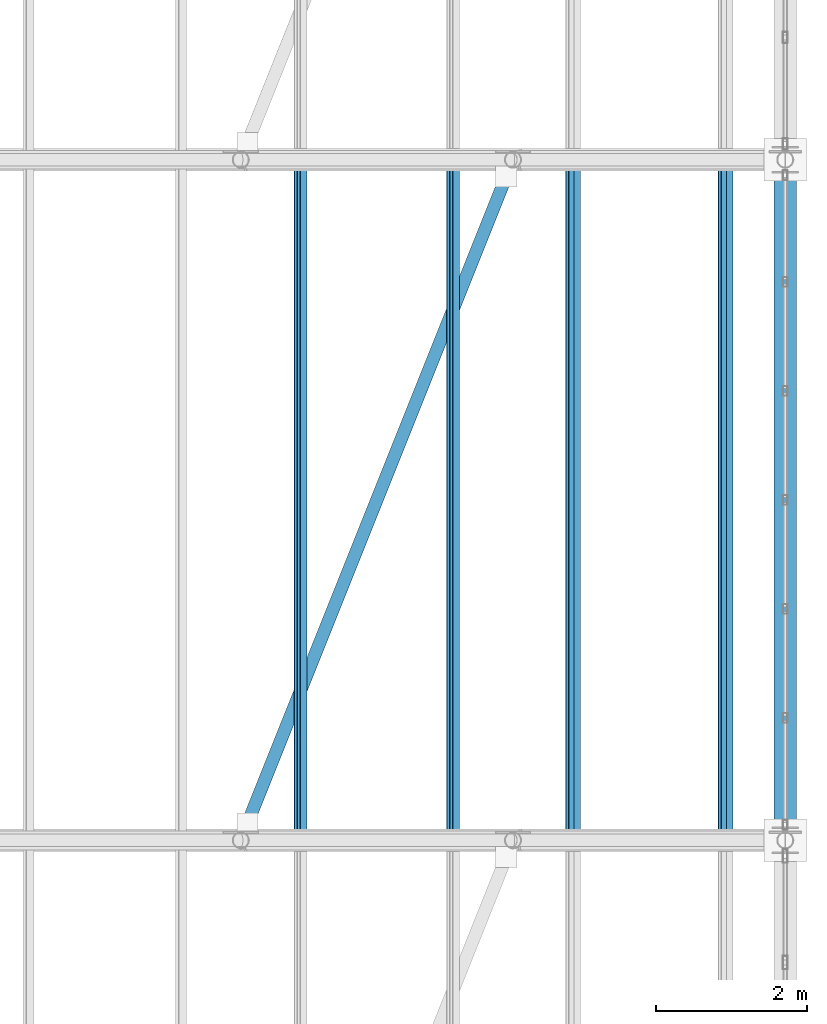
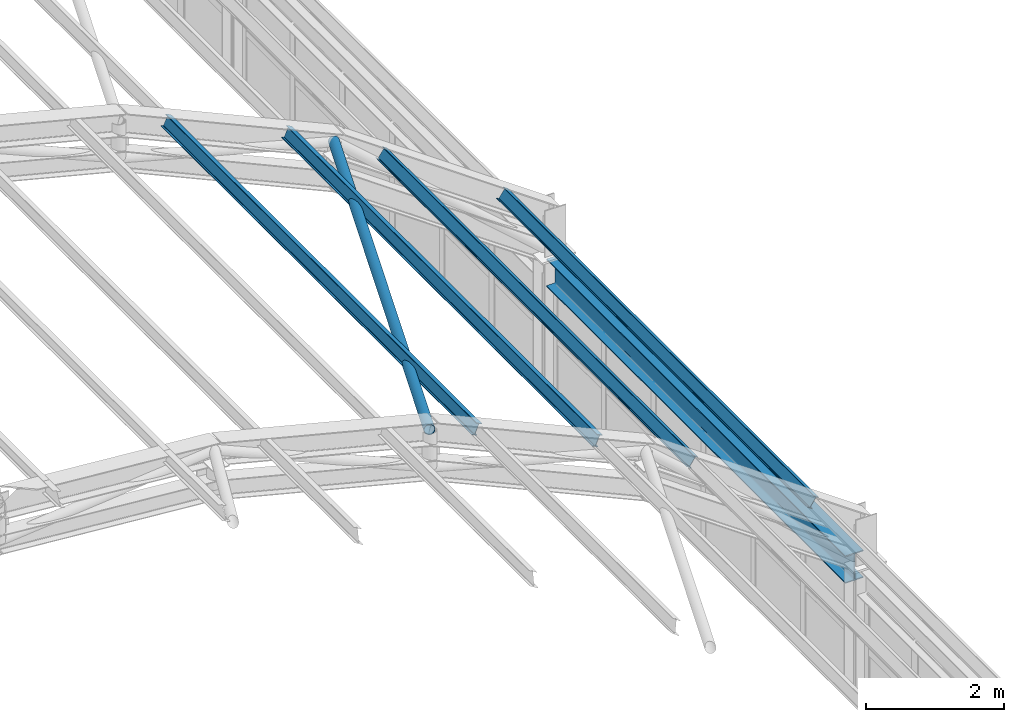
# One storey, part 57 of 121: 5 members, 1 beam.
"""IFC4 building model written with IfcOpenShell, lengths in metres."""

from ifc_helpers import new_model, si_unit, direction, frame, origin, origin_2d, place, context, subcontext, project, spatial, hollow_circle, i_section, extrude, material, material_profile, profile_set, type_object, element, save


model = new_model("IFC4")

# Units and contexts
model_context = context("Model", 3, precision=1e-05, world=origin(), true_north=direction((0.0, 1.0)))
body_context = subcontext(model_context, "Body", "Model", "MODEL_VIEW")
ifc_project = project(units=[si_unit("LENGTHUNIT", "METRE"), si_unit("AREAUNIT", "SQUARE_METRE"), si_unit("VOLUMEUNIT", "CUBIC_METRE"), si_unit("PLANEANGLEUNIT", "RADIAN"), si_unit("MASSUNIT", "GRAM", prefix="KILO")], contexts=[model_context])

# Site, building, storey
site_placement = place(None, origin())
site = spatial("IfcSite", under=ifc_project, at=site_placement, CompositionType="ELEMENT")
building_placement = place(site_placement, origin())
building = spatial("IfcBuilding", under=site, at=building_placement, Name="Canglan Escarpment Cableway Terminal", CompositionType="ELEMENT")
storey_placement = place(building_placement, frame((0.0, 0.0, 24.60009765625)))
storey = spatial("IfcBuildingStorey", under=building, at=storey_placement, Name="L05", CompositionType="ELEMENT", Elevation=24.60009765625)

# Beam
ifc_material = material(Name="Steel Q355B", Category="steel")
ifc_material_profile_1 = material_profile(ifc_material, i_section(OverallWidth=0.300048828125, OverallDepth=0.488037109375, WebThickness=0.010986328125, FlangeThickness=0.01806640625, FilletRadius=0.02587890625, at=origin_2d()), Name="HM 488x300x11x18")
ifc_profile_set_1 = profile_set([ifc_material_profile_1], Name="Steel Q355B")
beam_type = type_object("IfcBeamType", Name="BM-HM488", PredefinedType="BEAM", material=ifc_profile_set_1)
beam_placement = place(storey_placement, frame((166.39990234375, 79.175048828125, 2.1884765625), z_axis=(0.0, 1.0, 0.0), x_axis=(-1.0, 0.0, 0.0)))
element("IfcBeam", 1, at=beam_placement, inside=storey, type_object=beam_type, Name="Vault springing ring girder B-09", PredefinedType="BEAM", context=body_context, shape_type="SweptSolid", body=[
    extrude(i_section(OverallWidth=0.300048828125, OverallDepth=0.488037109375, WebThickness=0.010986328125, FlangeThickness=0.01806640625, FilletRadius=0.02587890625, at=origin_2d()), origin(), (0.0, 0.0, 1.0), 8.64990234375),
])

# Members
ifc_material_profile_2 = material_profile(ifc_material, hollow_circle(Radius=0.084228515625, WallThickness=0.006103515625, at=origin_2d()), Name="CHS 168.3x6")
ifc_profile_set_2 = profile_set([ifc_material_profile_2], Name="Steel Q355B")
member_type_1 = type_object("IfcMemberType", Name="MB-ROOF-BR-CHS168", PredefinedType="BRACE", material=ifc_profile_set_2)
member_placement = place(storey_placement, frame((159.199951171875, 79.0, 7.23828125), z_axis=(0.366307573698, 0.915744093096, -0.165019748547), x_axis=(-0.928473216852, 0.37139936132, 0.0)))
element("IfcMember", 2, at=member_placement, inside=storey, type_object=member_type_1, Name="Vault roof plane wind brace BR-03", PredefinedType="BRACE", context=body_context, shape_type="SweptSolid", body=[
    extrude(hollow_circle(Radius=0.084228515625, WallThickness=0.006103515625, at=origin_2d()), origin(), (0.0, 0.0, 1.0), 9.828125),
])
ifc_material_profile_3 = material_profile(ifc_material, i_section(OverallWidth=0.10009765625, OverallDepth=0.199951171875, WebThickness=0.005615234375, FlangeThickness=0.008056640625, FilletRadius=0.010986328125, at=origin_2d()), Name="HN 200x100x5.5x8")
ifc_profile_set_3 = profile_set([ifc_material_profile_3], Name="Steel Q355B")
member_type_2 = type_object("IfcMemberType", Name="MB-VAULT-PUR-HN200", PredefinedType="PURLIN", material=ifc_profile_set_3)
for number, where, z_axis, x_axis, name in (
    (3, (159.991943359375, 79.0, 6.968017578125), (0.0, 1.0, 0.0), (-0.911740537138, 0.0, 0.410766591799), "Barrel-vault roof purlin PR-01"),
    (4, (162.008056640625, 79.0, 6.059814453125), (0.0, 1.0, 0.0), (-0.911740537138, 0.0, 0.410766591799), "Barrel-vault roof purlin PR-01"),
    (5, (163.592041015625, 79.0, 5.1318359375), (0.0, 1.0, 0.0), (-0.817727996784, 0.0, 0.575604832568), "Barrel-vault roof purlin PR-01"),
    (6, (165.60791015625, 79.0, 3.712890625), (0.0, 1.0, 0.0), (-0.817727996784, 0.0, 0.575604832568), "Barrel-vault roof purlin PR-01"),
):
    element("IfcMember", number, at=place(storey_placement, frame(where, z_axis=z_axis, x_axis=x_axis)), inside=storey, type_object=member_type_2, Name=name, PredefinedType="PURLIN", context=body_context, shape_type="SweptSolid", body=[
        extrude(i_section(OverallWidth=0.10009765625, OverallDepth=0.199951171875, WebThickness=0.005615234375, FlangeThickness=0.008056640625, FilletRadius=0.010986328125, at=origin_2d()), origin(), (0.0, 0.0, 1.0), 9.0),
    ])

save(model, "model.ifc")
